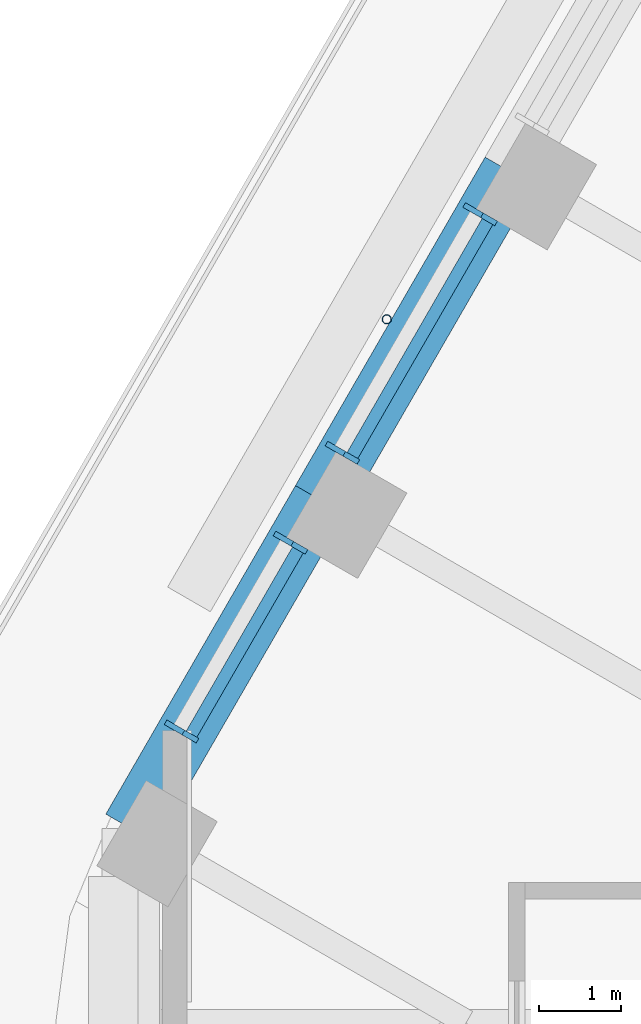
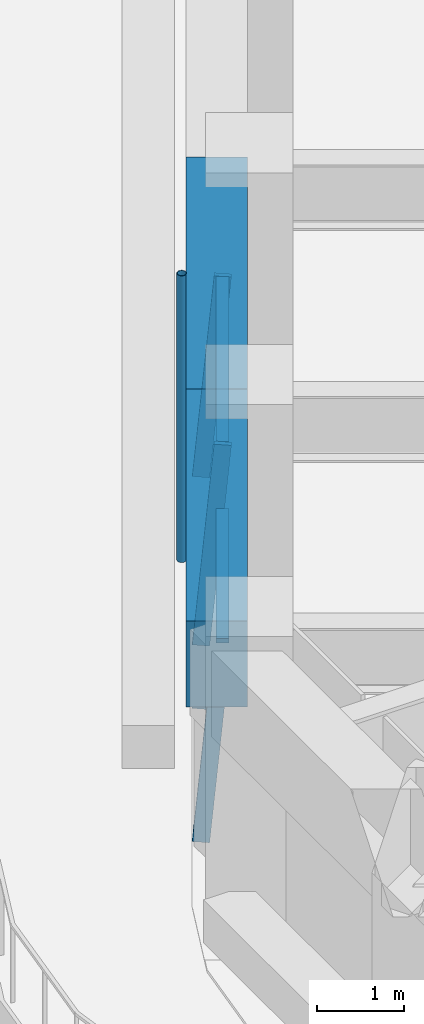
# One storey, part 6 of 20: 7 members, 2 beams, 2 elements without a shape of their own.
"""IFC4 building model written with IfcOpenShell, lengths in metres."""

from ifc_helpers import new_model, si_unit, direction, frame, origin, origin_2d, place, context, subcontext, project, spatial, rectangle, hollow_circle, extrude, material, material_profile, profile_set, type_object, element, aggregate, save


model = new_model("IFC4")

# Units and contexts
model_context = context("Model", 3, precision=1e-05, world=origin(), true_north=direction((0.0, 1.0)))
body_context = subcontext(model_context, "Body", "Model", "MODEL_VIEW")
ifc_project = project(units=[si_unit("LENGTHUNIT", "METRE"), si_unit("AREAUNIT", "SQUARE_METRE"), si_unit("VOLUMEUNIT", "CUBIC_METRE"), si_unit("PLANEANGLEUNIT", "RADIAN"), si_unit("MASSUNIT", "GRAM", prefix="KILO")], contexts=[model_context])

# Site, building, storey
site_placement = place(None, origin())
site = spatial("IfcSite", under=ifc_project, at=site_placement, CompositionType="ELEMENT")
building_placement = place(site_placement, origin())
building = spatial("IfcBuilding", under=site, at=building_placement, Name="Tarfa Lantern Tower", CompositionType="ELEMENT")
storey_placement = place(building_placement, frame((0.0, 0.0, 261.699951171875)))
storey = spatial("IfcBuildingStorey", under=building, at=storey_placement, Name="L59", CompositionType="ELEMENT", Elevation=261.699951171875)

# Curtain wall, members
ifc_material_1 = material(Name="Aluminium framed curtain wall", Category="aluminium")
curtain_wall_type = type_object("IfcCurtainWallType", Name="CW3 CANTED GLAZING HIGH ZONE 2800", PredefinedType="USERDEFINED", material=ifc_material_1)
curtain_wall_1_placement = place(storey_placement, origin())
curtain_wall_1 = element("IfcCurtainWall", 1, at=curtain_wall_1_placement, inside=storey, type_object=curtain_wall_type, Name="CW3 NW L59", ObjectType="CURTAIN WALL", PredefinedType="USERDEFINED")
ifc_material_2 = material(Name="Aluminium mullion", Category="aluminium")
ifc_material_profile_1 = material_profile(ifc_material_2, rectangle(XDim=0.06494140625, YDim=0.199951171875, at=origin_2d()), Name="AL MULLION 65x200")
ifc_profile_set_1 = profile_set([ifc_material_profile_1], Name="Aluminium mullion")
member_type_1 = type_object("IfcMemberType", Name="CWM1 MULLION 65x200", PredefinedType="MULLION", material=ifc_profile_set_1)
member_1_placement = place(storey_placement, frame((-27.65380859375, 9.90234375, 0.0), z_axis=(0.077032386753, -0.044465143199, 0.996036576854), x_axis=(0.499919672301, 0.866071776036, 0.0)))
member_1 = element("IfcMember", 2, at=member_1_placement, type_object=member_type_1, Name="CW3 mullion 1", PredefinedType="MULLION", context=body_context, shape_type="SweptSolid", body=[
    extrude(rectangle(XDim=0.06494140625, YDim=0.199951171875, at=origin_2d()), origin(), (0.0, 0.0, 1.0), 2.811279296875),
])
member_2_placement = place(storey_placement, frame((-29.33056640625, 6.997802734375, 0.0), z_axis=(0.076946055247, -0.044465440504, 0.996043236603), x_axis=(0.500342721131, 0.865827443207, 0.0)))
member_2 = element("IfcMember", 3, at=member_2_placement, type_object=member_type_1, Name="CW3 mullion 2", PredefinedType="MULLION", context=body_context, shape_type="SweptSolid", body=[
    extrude(rectangle(XDim=0.06494140625, YDim=0.199951171875, at=origin_2d()), origin(), (0.0, 0.0, 1.0), 2.811279296875),
])

curtain_wall_2_placement = place(storey_placement, origin())
curtain_wall_2 = element("IfcCurtainWall", 4, at=curtain_wall_2_placement, inside=storey, type_object=curtain_wall_type, Name="CW3 NW L59", ObjectType="CURTAIN WALL", PredefinedType="USERDEFINED")
member_3_placement = place(storey_placement, frame((-29.963134765625, 5.90234375, 0.0), z_axis=(0.077032386753, -0.044465143199, 0.996036576854), x_axis=(0.499919672301, 0.866071776036, 0.0)))
member_3 = element("IfcMember", 5, at=member_3_placement, type_object=member_type_1, Name="CW3 mullion 1", PredefinedType="MULLION", context=body_context, shape_type="SweptSolid", body=[
    extrude(rectangle(XDim=0.06494140625, YDim=0.199951171875, at=origin_2d()), origin(), (0.0, 0.0, 1.0), 2.811279296875),
])
member_4_placement = place(storey_placement, frame((-31.2900390625, 3.60400390625, 0.0), z_axis=(0.077032386753, -0.044465143199, 0.996036576854), x_axis=(0.499919672301, 0.866071776036, 0.0)))
member_4 = element("IfcMember", 6, at=member_4_placement, type_object=member_type_1, Name="CW3 mullion 2", PredefinedType="MULLION", context=body_context, shape_type="SweptSolid", body=[
    extrude(rectangle(XDim=0.06494140625, YDim=0.199951171875, at=origin_2d()), origin(), (0.0, 0.0, 1.0), 2.811279296875),
])

# Member
ifc_material_3 = material(Name="Aluminium transom", Category="aluminium")
ifc_material_profile_2 = material_profile(ifc_material_3, rectangle(XDim=0.14990234375, YDim=0.06494140625, at=origin_2d()), Name="AL TRANSOM 150x65")
ifc_profile_set_2 = profile_set([ifc_material_profile_2], Name="Aluminium transom")
member_type_2 = type_object("IfcMemberType", Name="CWT1 TRANSOM 150x65", PredefinedType="USERDEFINED", material=ifc_profile_set_2)
member_5_placement = place(storey_placement, frame((-27.4560546875, 9.75048828125, 2.767578125), z_axis=(-0.499979497339, -0.866037240677, 0.0), x_axis=(0.866037240677, -0.499979497339, 0.0)))
member_5 = element("IfcMember", 7, at=member_5_placement, type_object=member_type_2, Name="CW3 transom 1.2", ObjectType="TRANSOM", PredefinedType="USERDEFINED", context=body_context, shape_type="SweptSolid", body=[
    extrude(rectangle(XDim=0.14990234375, YDim=0.06494140625, at=origin_2d()), origin(), (0.0, 0.0, 1.0), 3.288818359375),
])

aggregate(curtain_wall_1, [member_1, member_2, member_5])

member_6_placement = place(storey_placement, frame((-29.765380859375, 5.75048828125, 2.767578125), z_axis=(-0.5000136139, -0.866017543653, 0.0), x_axis=(0.866017543653, -0.5000136139, 0.0)))
member_6 = element("IfcMember", 8, at=member_6_placement, type_object=member_type_2, Name="CW3 transom 1.2", ObjectType="TRANSOM", PredefinedType="USERDEFINED", context=body_context, shape_type="SweptSolid", body=[
    extrude(rectangle(XDim=0.14990234375, YDim=0.06494140625, at=origin_2d()), origin(), (0.0, 0.0, 1.0), 2.5888671875),
])

aggregate(curtain_wall_2, [member_3, member_4, member_6])

# Beams
ifc_material_4 = material(Name="Concrete C80/95", Category="concrete")
ifc_material_profile_3 = material_profile(ifc_material_4, rectangle(XDim=0.699951171875, YDim=1.199951171875, at=origin_2d()), Name="RC 700x1200")
ifc_profile_set_3 = profile_set([ifc_material_profile_3], Name="Concrete C80/95")
beam_type = type_object("IfcBeamType", Name="EB3 RC 700x1200", PredefinedType="SPANDREL", material=ifc_profile_set_3)
beam_1_placement = place(storey_placement, frame((-27.181640625, 10.360107421875, 3.400146484375), z_axis=(-0.499987836815, -0.866032426089, 0.0), x_axis=(0.866032426089, -0.499987836815, 0.0)))
element("IfcBeam", 9, at=beam_1_placement, inside=storey, type_object=beam_type, Name="Edge beam NW4", PredefinedType="SPANDREL", context=body_context, shape_type="SweptSolid", body=[
    extrude(rectangle(XDim=0.699951171875, YDim=1.199951171875, at=origin_2d()), origin(), (0.0, 0.0, 1.0), 4.61865234375),
])
beam_2_placement = place(storey_placement, frame((-29.490966796875, 6.360107421875, 3.400146484375), z_axis=(-0.500027479704, -0.866009537788, 0.0), x_axis=(0.866009537788, -0.500027479704, 0.0)))
element("IfcBeam", 10, at=beam_2_placement, inside=storey, type_object=beam_type, Name="Edge beam NW5", PredefinedType="SPANDREL", context=body_context, shape_type="SweptSolid", body=[
    extrude(rectangle(XDim=0.699951171875, YDim=1.199951171875, at=origin_2d()), origin(), (0.0, 0.0, 1.0), 4.618896484375),
])

# Member
ifc_material_5 = material(Name="Steel S355", Category="steel")
ifc_material_profile_4 = material_profile(ifc_material_5, hollow_circle(Radius=0.05712890625, WallThickness=0.00634765625, at=origin_2d()), Name="CHS114.3x6.3")
ifc_profile_set_4 = profile_set([ifc_material_profile_4], Name="Steel S355")
member_type_3 = type_object("IfcMemberType", Name="TR1 GREEN WALL TRELLIS CHS114.3x6.3", PredefinedType="USERDEFINED", material=ifc_profile_set_4)
member_7_placement = place(storey_placement, frame((-28.682861328125, 8.56005859375, 0.0), z_axis=(0.0, 0.0, 1.0), x_axis=(1.0, 0.0, 0.0)))
element("IfcMember", 11, at=member_7_placement, inside=storey, type_object=member_type_3, Name="Trellis post NW 2", ObjectType="TRELLIS", PredefinedType="USERDEFINED", context=body_context, shape_type="SweptSolid", body=[
    extrude(hollow_circle(Radius=0.05712890625, WallThickness=0.00634765625, at=origin_2d()), origin(), (0.0, 0.0, 1.0), 4.0),
])

save(model, "model.ifc")
